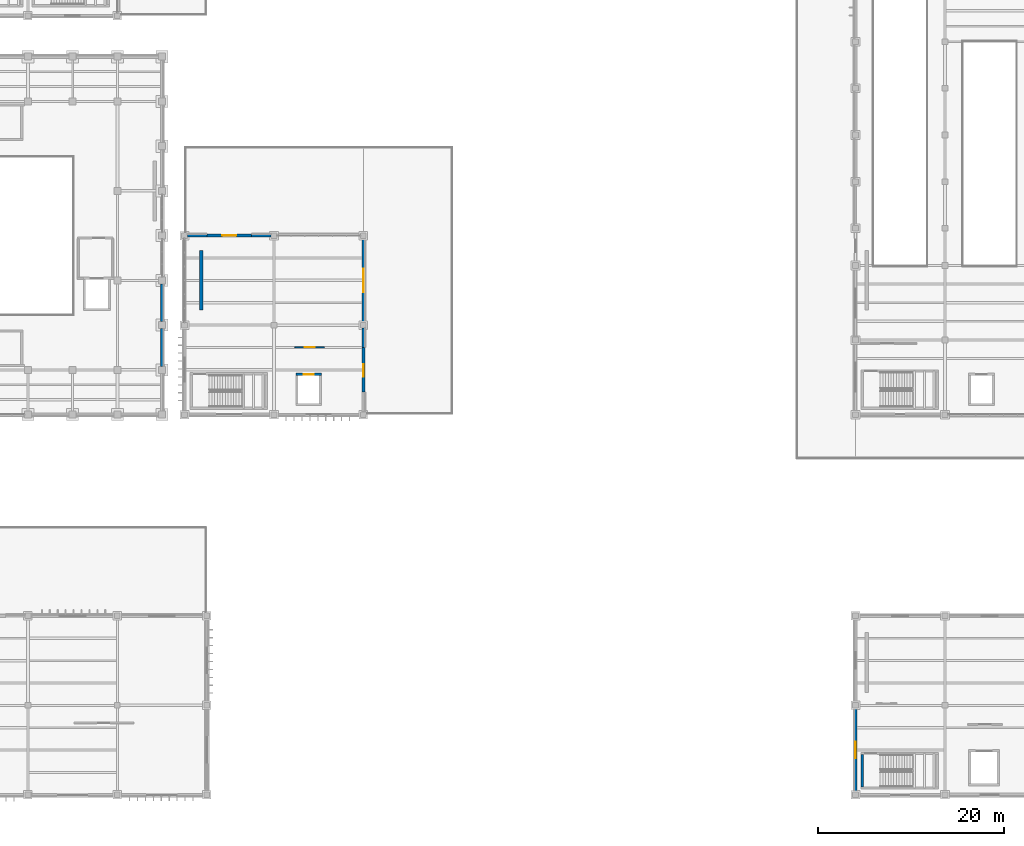
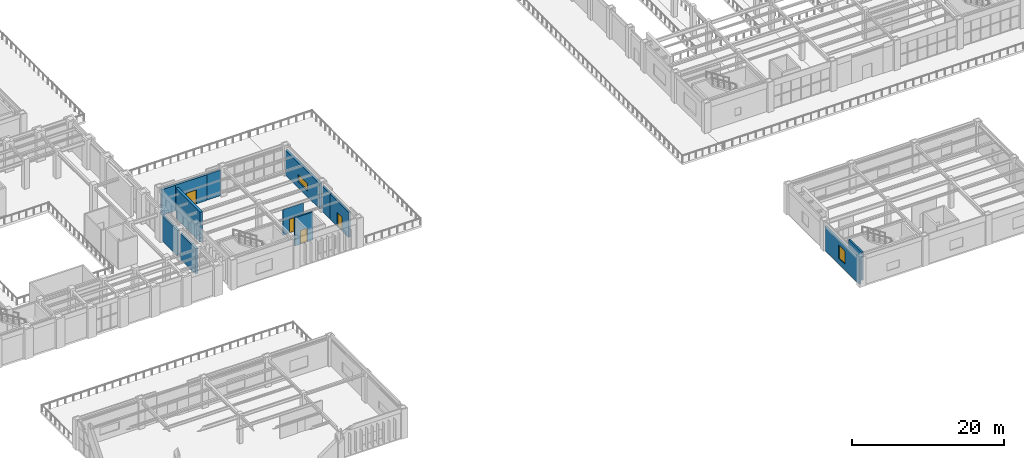
# One storey, part 57 of 83: 13 walls, 4 doors, 2 windows, 6 openings.
"""IFC4 building model written with IfcOpenShell, lengths in metres."""

import ifcopenshell
import ifcopenshell.guid

model = None  # the IFC model being written
_history = None  # IfcOwnerHistory: only IFC2X3 demands one
_inside = {}  # id of a spatial element -> (the spatial element, [elements in it])
_under = {}  # id of a project, library or spatial element -> (it, [spatial elements below it])
_declared = {}  # id of a project -> (the project, [libraries it declares])
_typed = {}  # id of a type object -> (the type object, [elements of that type])
_made_of = {}  # id of a material, layer set ... -> (it, [elements and type objects made of it])


def new_model(schema):
    """Start an empty IFC model of exactly this schema.

    Asked for "IFC4X3", IfcOpenShell would pick the latest addendum, in which some entities
    have other attributes; the version numbers below select the first issue.
    IFC2X3 requires an IfcOwnerHistory on every rooted entity: one is made here for all.
    """
    global model, _history
    if schema == "IFC4X3":
        model = ifcopenshell.file(schema_version=(4, 3, 0, 0))
    else:
        model = ifcopenshell.file(schema=schema)
    _inside.clear()
    _under.clear()
    _declared.clear()
    _typed.clear()
    _made_of.clear()
    _history = None
    if model.schema == "IFC2X3":
        org = make("IfcOrganization", Name="unknown")
        user = make(
            "IfcPersonAndOrganization",
            ThePerson=make("IfcPerson", FamilyName="unknown"),
            TheOrganization=org,
        )
        app = make(
            "IfcApplication",
            ApplicationDeveloper=org,
            Version="unknown",
            ApplicationFullName="unknown",
            ApplicationIdentifier="unknown",
        )
        _history = make(
            "IfcOwnerHistory",
            OwningUser=user,
            OwningApplication=app,
            ChangeAction="ADDED",
            CreationDate=0,
        )
    return model


def make(cls, **values):
    """One entity of the class cls with the attributes given. An attribute that is None is left unset."""
    return model.create_entity(
        cls, **{name: value for name, value in values.items() if value is not None}
    )


def rooted(cls, **values):
    """An entity with a GlobalId (a new one), such as an element, a storey or a relation."""
    return make(cls, GlobalId=ifcopenshell.guid.new(), OwnerHistory=_history, **values)


def si_unit(unit_type, name, prefix=None):
    """IfcSIUnit, for example si_unit("LENGTHUNIT", "METRE", prefix="MILLI")."""
    return make("IfcSIUnit", UnitType=unit_type, Prefix=prefix, Name=name)


def assignment(units):
    """IfcUnitAssignment: the units of a project."""
    return None if units is None else make("IfcUnitAssignment", Units=units)


def point(xyz):
    """IfcCartesianPoint."""
    return None if xyz is None else make("IfcCartesianPoint", Coordinates=xyz)


def direction(xyz):
    """IfcDirection."""
    return None if xyz is None else make("IfcDirection", DirectionRatios=xyz)


def frame(location, z_axis=None, x_axis=None):
    """IfcAxis2Placement3D, a coordinate frame: its origin and axes. An axis left out is left unset."""
    return make(
        "IfcAxis2Placement3D",
        Location=point(location),
        Axis=direction(z_axis),
        RefDirection=direction(x_axis),
    )


def frame_2d(location, x_axis=None):
    """IfcAxis2Placement2D, a coordinate frame in the plane: its origin and x axis."""
    return make(
        "IfcAxis2Placement2D", Location=point(location), RefDirection=direction(x_axis)
    )


def origin():
    """The frame at (0, 0, 0) with its axes left unset."""
    return frame((0.0, 0.0, 0.0))


def place(relative_to, where):
    """IfcLocalPlacement: puts the frame where relative to a parent placement (None: the world)."""
    return make(
        "IfcLocalPlacement", PlacementRelTo=relative_to, RelativePlacement=where
    )


def context(
    kind, dimensions, precision=None, world=None, true_north=None, identifier=None
):
    """IfcGeometricRepresentationContext, for example the 3D "Model" context."""
    return make(
        "IfcGeometricRepresentationContext",
        ContextIdentifier=identifier,
        ContextType=kind,
        CoordinateSpaceDimension=dimensions,
        Precision=precision,
        WorldCoordinateSystem=world,
        TrueNorth=true_north,
    )


def subcontext(parent, identifier, kind, view, scale=None):
    """IfcGeometricRepresentationSubContext, for example "Body" below "Model"."""
    return make(
        "IfcGeometricRepresentationSubContext",
        ContextIdentifier=identifier,
        ContextType=kind,
        ParentContext=parent,
        TargetScale=scale,
        TargetView=view,
    )


def project(units=None, contexts=None):
    """IfcProject with its units and contexts."""
    return rooted(
        "IfcProject",
        Name="project",
        RepresentationContexts=contexts,
        UnitsInContext=assignment(units),
    )


def spatial(cls, under=None, at=None, **own):
    """A site, building, storey or space (cls), placed at a placement, below another one or the project."""
    s = rooted(cls, ObjectPlacement=at, **own)
    if under is not None:
        _under.setdefault(under.id(), (under, []))[1].append(s)
    return s


def profile(cls, at=None, kind="AREA", **sizes):
    """A parametric profile (cls). Its sizes go by their IFC names, for example OverallWidth=200.0."""
    return make(cls, ProfileType=kind, Position=at, **sizes)


def rectangle(**sizes):
    """IfcRectangleProfileDef."""
    return profile("IfcRectangleProfileDef", **sizes)


def extrude(swept, where, along, depth):
    """IfcExtrudedAreaSolid: the profile swept, set in the frame where, extruded along a direction by depth."""
    return make(
        "IfcExtrudedAreaSolid",
        SweptArea=swept,
        Position=where,
        ExtrudedDirection=direction(along),
        Depth=depth,
    )


def shape(context_of_items, identifier, shape_type, items):
    """IfcShapeRepresentation: the items that make up one representation, for example the "Body"."""
    return make(
        "IfcShapeRepresentation",
        ContextOfItems=context_of_items,
        RepresentationIdentifier=identifier,
        RepresentationType=shape_type,
        Items=items,
    )


def material(Name=None, Category=None):
    """IfcMaterial."""
    return make("IfcMaterial", Name=Name, Category=Category)


def layer(
    of_material, thickness, ventilated=None, Name=None, Category=None, Priority=None
):
    """IfcMaterialLayer: one layer of a wall or slab, of a material (None: an air gap)."""
    return make(
        "IfcMaterialLayer",
        Material=of_material,
        LayerThickness=thickness,
        IsVentilated=ventilated,
        Name=Name,
        Category=Category,
        Priority=Priority,
    )


def layer_set(layers, Name=None):
    """IfcMaterialLayerSet."""
    return make("IfcMaterialLayerSet", MaterialLayers=layers, LayerSetName=Name)


def made_of(thing, what):
    """Note that an element or type object is made of a material, layer set ...; save() writes the relation."""
    if what is not None:
        _made_of.setdefault(what.id(), (what, []))[1].append(thing)
    return thing


def type_object(cls, material=None, **own):
    """A type object (cls), such as IfcWallType, which elements share."""
    return made_of(rooted(cls, **own), material)


def element(
    cls,
    number,
    at=None,
    inside=None,
    cuts=None,
    type_object=None,
    material=None,
    context=None,
    identifier="Body",
    shape_type=None,
    held_by="IfcProductDefinitionShape",
    body=None,
    shapes=None,
    **own,
):
    """One element of the class cls, such as IfcWall. Its Tag is "e" and its number.

    at: its placement. inside: the storey or other place that contains it. cuts: it is an
    opening in that element (IfcRelVoidsElement). A single representation is given by context,
    identifier, shape_type and body (its items); several are given by shapes. held_by: the class
    of the entity that holds the representations. save() writes the other relations.
    """
    e = rooted(cls, Tag="e%d" % number, ObjectPlacement=at, **own)
    if body is not None:
        shapes = [shape(context, identifier, shape_type, body)]
    if shapes is not None:
        e.Representation = make(held_by, Representations=shapes)
    if inside is not None:
        _inside.setdefault(inside.id(), (inside, []))[1].append(e)
    if cuts is not None:
        rooted(
            "IfcRelVoidsElement", RelatingBuildingElement=cuts, RelatedOpeningElement=e
        )
    if type_object is not None:
        _typed.setdefault(type_object.id(), (type_object, []))[1].append(e)
    return made_of(e, material)


def fill(opening, filler):
    """IfcRelFillsElement: the door or window that sits in an opening."""
    return rooted(
        "IfcRelFillsElement",
        RelatingOpeningElement=opening,
        RelatedBuildingElement=filler,
    )


def aggregate(whole, parts):
    """IfcRelAggregates: a whole, such as a stair, and the parts it consists of."""
    return rooted("IfcRelAggregates", RelatingObject=whole, RelatedObjects=parts)


def save(model, path):
    """Write the relations noted so far, then the file.

    IfcRelAggregates (storeys below a building ...), IfcRelContainedInSpatialStructure (elements
    in a storey), IfcRelDefinesByType, IfcRelAssociatesMaterial and IfcRelDeclares: one each for
    every whole, place, type object, material and project.
    """
    for whole, parts in _under.values():
        aggregate(whole, parts)
    for where, things in _inside.values():
        rooted(
            "IfcRelContainedInSpatialStructure",
            RelatedElements=things,
            RelatingStructure=where,
        )
    for kind, things in _typed.values():
        rooted("IfcRelDefinesByType", RelatedObjects=things, RelatingType=kind)
    for what, things in _made_of.values():
        rooted("IfcRelAssociatesMaterial", RelatedObjects=things, RelatingMaterial=what)
    for by, libraries in _declared.values():
        rooted("IfcRelDeclares", RelatingContext=by, RelatedDefinitions=libraries)
    model.write(path)


model = new_model("IFC4")

# Units and contexts
model_context = context("Model", 3, precision=1e-05, world=origin(), true_north=direction((0.0, 1.0)))
body_context = subcontext(model_context, "Body", "Model", "MODEL_VIEW")
ifc_project = project(units=[si_unit("LENGTHUNIT", "METRE"), si_unit("AREAUNIT", "SQUARE_METRE"), si_unit("VOLUMEUNIT", "CUBIC_METRE"), si_unit("PLANEANGLEUNIT", "RADIAN"), si_unit("MASSUNIT", "GRAM", prefix="KILO")], contexts=[model_context])

# Site, building, storey
site_placement = place(None, origin())
site = spatial("IfcSite", under=ifc_project, at=site_placement, CompositionType="ELEMENT")
building_placement = place(site_placement, origin())
building = spatial("IfcBuilding", under=site, at=building_placement, Name="Mavantir Sound Aquarium", CompositionType="ELEMENT")
storey_placement = place(building_placement, frame((0.0, 0.0, 10.5)))
storey = spatial("IfcBuildingStorey", under=building, at=storey_placement, Name="L02", CompositionType="ELEMENT", Elevation=10.5)

# Wall, opening, door
ifc_material_1 = material(Name="Coral-Buff Architectural Precast Concrete C40/50", Category="concrete")
ifc_layer_1 = layer(ifc_material_1, 0.31005859375, Name="Coral-Buff Architectural Precast Concrete C40/50")
ifc_layer_set_1 = layer_set([ifc_layer_1], Name="Coral-Buff Architectural Precast Concrete C40/50")
wall_type_1 = type_object("IfcWallType", Name="EW-CORAL-310", PredefinedType="SOLIDWALL", material=ifc_layer_set_1)
wall_1_placement = place(storey_placement, frame((55.199951171875, 43.199951171875, 0.0), z_axis=(0.0, 0.0, 1.0), x_axis=(0.0, 1.0, 0.0)))
wall_1 = element("IfcWall", 1, at=wall_1_placement, inside=storey, type_object=wall_type_1, Name="L02 terrace portal wall 11", PredefinedType="SOLIDWALL", context=body_context, shape_type="SweptSolid", body=[
    extrude(rectangle(XDim=4.800048828125, YDim=0.31005859375, at=frame_2d((2.39990234375, 0.0))), origin(), (0.0, 0.0, 1.0), 4.069091796875),
])
opening_1_placement = place(wall_1_placement, frame((3.0, 0.0, 0.0), z_axis=(0.0, 0.0, 1.0), x_axis=(-1.0, 0.0, 0.0)))
opening_1 = element("IfcOpeningElement", 2, at=opening_1_placement, cuts=wall_1, Name="Opening ETD-02", PredefinedType="OPENING", context=body_context, shape_type="SweptSolid", body=[
    extrude(rectangle(XDim=1.35009765625, YDim=2.199951171875, at=frame_2d((0.675048828125, 1.10009765625))), frame((0.0, 0.1650390625, 0.0), z_axis=(0.0, -1.0, 0.0), x_axis=(1.0, 0.0, 0.0)), (0.0, 0.0, 1.0), 0.330078125),
])
ifc_material_2 = material(Name="Marine-Grade Anodised Aluminium and Laminated Glass", Category="aluminium")
door_type_1 = type_object("IfcDoorType", Name="DR-TER-135", OperationType="NOTDEFINED", PredefinedType="DOOR", material=ifc_material_2)
door_1_placement = place(opening_1_placement, origin())
door_1 = element("IfcDoor", 3, at=door_1_placement, inside=storey, type_object=door_type_1, Name="L02 terrace access door 11", OperationType="SINGLE_SWING_RIGHT", OverallHeight=2.199951171875, OverallWidth=1.35009765625, PredefinedType="DOOR", context=body_context, shape_type="SweptSolid", body=[
    extrude(rectangle(XDim=1.35009765625, YDim=2.199951171875, at=frame_2d((0.675048828125, 1.10009765625))), frame((0.0, 0.02490234375, 0.0), z_axis=(0.0, -1.0, 0.0), x_axis=(1.0, 0.0, 0.0)), (0.0, 0.0, 1.0), 0.050048828125),
])
fill(opening_1, door_1)

wall_2_placement = place(storey_placement, frame((43.199951171875, 60.0, 0.0), z_axis=(0.0, 0.0, 1.0), x_axis=(-1.0, 0.0, 0.0)))
wall_2 = element("IfcWall", 4, at=wall_2_placement, inside=storey, type_object=wall_type_1, Name="L02 terrace portal wall 12", PredefinedType="SOLIDWALL", context=body_context, shape_type="SweptSolid", body=[
    extrude(rectangle(XDim=4.800048828125, YDim=0.31005859375, at=frame_2d((2.39990234375, 0.0))), origin(), (0.0, 0.0, 1.0), 4.137939453125),
])
opening_2_placement = place(wall_2_placement, frame((3.14990234375, 0.0, 0.0), z_axis=(0.0, 0.0, 1.0), x_axis=(-1.0, 0.0, 0.0)))
opening_2 = element("IfcOpeningElement", 5, at=opening_2_placement, cuts=wall_2, Name="Opening ETD-01", PredefinedType="OPENING", context=body_context, shape_type="SweptSolid", body=[
    extrude(rectangle(XDim=1.5, YDim=2.25, at=frame_2d((0.75, 1.125))), frame((0.0, 0.1650390625, 0.0), z_axis=(0.0, -1.0, 0.0), x_axis=(1.0, 0.0, 0.0)), (0.0, 0.0, 1.0), 0.330078125),
])
door_type_2 = type_object("IfcDoorType", Name="DR-TER-150", OperationType="NOTDEFINED", PredefinedType="DOOR", material=ifc_material_2)
door_2_placement = place(opening_2_placement, origin())
door_2 = element("IfcDoor", 6, at=door_2_placement, inside=storey, type_object=door_type_2, Name="L02 terrace access door 12", OperationType="SINGLE_SWING_LEFT", OverallHeight=2.25, OverallWidth=1.5, PredefinedType="DOOR", context=body_context, shape_type="SweptSolid", body=[
    extrude(rectangle(XDim=1.5, YDim=2.25, at=frame_2d((0.75, 1.125))), frame((0.0, 0.02490234375, 0.0), z_axis=(0.0, -1.0, 0.0), x_axis=(1.0, 0.0, 0.0)), (0.0, 0.0, 1.0), 0.050048828125),
])
fill(opening_2, door_2)

# Walls
ifc_layer_2 = layer(ifc_material_1, 0.340087890625, Name="Coral-Buff Architectural Precast Concrete C40/50")
ifc_layer_set_2 = layer_set([ifc_layer_2], Name="Coral-Buff Architectural Precast Concrete C40/50")
wall_type_2 = type_object("IfcWallType", Name="EW-CORAL-340", PredefinedType="SOLIDWALL", material=ifc_layer_set_2)
wall_3_placement = place(storey_placement, frame((33.60009765625, 45.98291015625, 0.0), z_axis=(0.0, 0.0, 1.0), x_axis=(0.0, 1.0, 0.0)))
element("IfcWall", 7, at=wall_3_placement, inside=storey, type_object=wall_type_2, Name="L02 exterior facade wall EW-01 204", PredefinedType="SOLIDWALL", context=body_context, shape_type="SweptSolid", body=[
    extrude(rectangle(XDim=4.0341796875, YDim=0.340087890625, at=frame_2d((2.01708984375, 0.0))), origin(), (0.0, 0.0, 1.0), 4.05810546875),
])
wall_4_placement = place(storey_placement, frame((33.60009765625, 50.782958984375, 0.0), z_axis=(0.0, 0.0, 1.0), x_axis=(0.0, 1.0, 0.0)))
element("IfcWall", 8, at=wall_4_placement, inside=storey, type_object=wall_type_2, Name="L02 exterior facade wall EW-01 205", PredefinedType="SOLIDWALL", context=body_context, shape_type="SweptSolid", body=[
    extrude(rectangle(XDim=4.033935546875, YDim=0.340087890625, at=frame_2d((2.01708984375, 0.0))), origin(), (0.0, 0.0, 1.0), 4.05810546875),
])
wall_5_placement = place(storey_placement, frame((38.39501953125, 60.0, 0.0), z_axis=(0.0, 0.0, 1.0), x_axis=(-1.0, 0.0, 0.0)))
element("IfcWall", 9, at=wall_5_placement, inside=storey, type_object=wall_type_2, Name="L02 exterior facade wall EW-01 235", PredefinedType="SOLIDWALL", context=body_context, shape_type="SweptSolid", body=[
    extrude(rectangle(XDim=2.0869140625, YDim=0.340087890625, at=frame_2d((1.04345703125, 0.0))), origin(), (0.0, 0.0, 1.0), 4.137939453125),
])
ifc_material_3 = material(Name="Architectural Precast Concrete C40/50", Category="concrete")
ifc_layer_3 = layer(ifc_material_3, 0.239990234375, Name="Architectural Precast Concrete C40/50")
ifc_layer_set_3 = layer_set([ifc_layer_3], Name="Architectural Precast Concrete C40/50")
wall_type_3 = type_object("IfcWallType", Name="EW-PRE-240", PredefinedType="SOLIDWALL", material=ifc_layer_set_3)
wall_6_placement = place(storey_placement, frame((45.2919921875, 60.0, 0.0), z_axis=(0.0, 0.0, 1.0), x_axis=(-1.0, 0.0, 0.0)))
element("IfcWall", 10, at=wall_6_placement, inside=storey, type_object=wall_type_3, Name="L02 exterior facade wall EW-06 234", PredefinedType="SOLIDWALL", context=body_context, shape_type="SweptSolid", body=[
    extrude(rectangle(XDim=2.0869140625, YDim=0.239990234375, at=frame_2d((1.04345703125, 0.0))), origin(), (0.0, 0.0, 1.0), 4.137939453125),
])

# Wall, opening, window
ifc_layer_4 = layer(ifc_material_1, 0.360107421875, Name="Coral-Buff Architectural Precast Concrete C40/50")
ifc_layer_set_4 = layer_set([ifc_layer_4], Name="Coral-Buff Architectural Precast Concrete C40/50")
wall_type_4 = type_object("IfcWallType", Name="EW-PRE-360", PredefinedType="SOLIDWALL", material=ifc_layer_set_4)
wall_7_placement = place(storey_placement, frame((55.199951171875, 50.7080078125, 0.0), z_axis=(0.0, 0.0, 1.0), x_axis=(0.0, 1.0, 0.0)))
wall_7 = element("IfcWall", 11, at=wall_7_placement, inside=storey, type_object=wall_type_4, Name="L02 exterior facade wall EW-05 233", PredefinedType="SOLIDWALL", context=body_context, shape_type="SweptSolid", body=[
    extrude(rectangle(XDim=8.98388671875, YDim=0.360107421875, at=frame_2d((4.491943359375, 0.0))), origin(), (0.0, 0.0, 1.0), 4.029052734375),
])
opening_3_placement = place(wall_7_placement, frame((3.217041015625, 0.0, 0.949951171875)))
opening_3 = element("IfcOpeningElement", 12, at=opening_3_placement, cuts=wall_7, Name="Opening W-33", PredefinedType="OPENING", context=body_context, shape_type="SweptSolid", body=[
    extrude(rectangle(XDim=2.550048828125, YDim=1.199951171875, at=frame_2d((1.27490234375, 0.60009765625))), frame((0.0, 0.18994140625, 0.0), z_axis=(0.0, -1.0, 0.0), x_axis=(1.0, 0.0, 0.0)), (0.0, 0.0, 1.0), 0.380126953125),
])
ifc_material_4 = material(Name="Thermally Broken Aluminium and Low-E Glass", Category="aluminium")
window_type_1 = type_object("IfcWindowType", Name="WIN-EXT-33", PartitioningType="TRIPLE_PANEL_VERTICAL", PredefinedType="WINDOW", material=ifc_material_4)
window_1_placement = place(opening_3_placement, origin())
window_1 = element("IfcWindow", 13, at=window_1_placement, inside=storey, type_object=window_type_1, Name="L02 facade window W-33 81", OverallHeight=1.199951171875, OverallWidth=2.550048828125, PartitioningType="SINGLE_PANEL", PredefinedType="WINDOW", context=body_context, shape_type="SweptSolid", body=[
    extrude(rectangle(XDim=2.550048828125, YDim=1.199951171875, at=frame_2d((1.27490234375, 0.60009765625))), frame((0.0, 0.030029296875, 0.0), z_axis=(0.0, -1.0, 0.0), x_axis=(1.0, 0.0, 0.0)), (0.0, 0.0, 1.0), 0.06005859375),
])
fill(opening_3, window_1)

# Wall
ifc_material_5 = material(Name="Cerulean Glazed Terracotta Rainscreen on Concrete C40/50", Category="masonry")
ifc_layer_5 = layer(ifc_material_5, 0.27001953125, Name="Cerulean Glazed Terracotta Rainscreen on Concrete C40/50")
ifc_layer_set_5 = layer_set([ifc_layer_5], Name="Cerulean Glazed Terracotta Rainscreen on Concrete C40/50")
wall_type_5 = type_object("IfcWallType", Name="EW-TERRA-270", PredefinedType="SOLIDWALL", material=ifc_layer_set_5)
wall_8_placement = place(storey_placement, frame((55.199951171875, 48.0048828125, 0.0), z_axis=(0.0, 0.0, 1.0), x_axis=(0.0, 1.0, 0.0)))
element("IfcWall", 14, at=wall_8_placement, inside=storey, type_object=wall_type_5, Name="L02 exterior facade wall EW-04 232", PredefinedType="SOLIDWALL", context=body_context, shape_type="SweptSolid", body=[
    extrude(rectangle(XDim=2.087158203125, YDim=0.27001953125, at=frame_2d((1.04345703125, 0.0))), origin(), (0.0, 0.0, 1.0), 4.069091796875),
])

# Wall, opening, window
ifc_material_6 = material(Name="Turquoise Glazed Terracotta Rainscreen on Concrete C40/50", Category="masonry")
ifc_layer_6 = layer(ifc_material_6, 0.2900390625, Name="Turquoise Glazed Terracotta Rainscreen on Concrete C40/50")
ifc_layer_set_6 = layer_set([ifc_layer_6], Name="Turquoise Glazed Terracotta Rainscreen on Concrete C40/50")
wall_type_6 = type_object("IfcWallType", Name="EW-TERRA-290", PredefinedType="SOLIDWALL", material=ifc_layer_set_6)
wall_9_placement = place(storey_placement, frame((108.0, 9.2919921875, 0.0), z_axis=(0.0, 0.0, 1.0), x_axis=(0.0, -1.0, 0.0)))
wall_9 = element("IfcWall", 15, at=wall_9_placement, inside=storey, type_object=wall_type_6, Name="L02 exterior facade wall EW-03 297", PredefinedType="SOLIDWALL", context=body_context, shape_type="SweptSolid", body=[
    extrude(rectangle(XDim=8.98388671875, YDim=0.2900390625, at=frame_2d((4.491943359375, 0.0))), origin(), (0.0, 0.0, 1.0), 3.8740234375),
])
opening_4_placement = place(wall_9_placement, frame((3.616943359375, 0.0, 0.949951171875)))
opening_4 = element("IfcOpeningElement", 16, at=opening_4_placement, cuts=wall_9, Name="Opening W-20", PredefinedType="OPENING", context=body_context, shape_type="SweptSolid", body=[
    extrude(rectangle(XDim=1.75, YDim=2.10009765625, at=frame_2d((0.875, 1.050048828125))), frame((0.0, 0.155029296875, 0.0), z_axis=(0.0, -1.0, 0.0), x_axis=(1.0, 0.0, 0.0)), (0.0, 0.0, 1.0), 0.31005859375),
])
window_type_2 = type_object("IfcWindowType", Name="WIN-EXT-20", PartitioningType="DOUBLE_PANEL_VERTICAL", PredefinedType="WINDOW", material=ifc_material_4)
window_2_placement = place(opening_4_placement, origin())
window_2 = element("IfcWindow", 17, at=window_2_placement, inside=storey, type_object=window_type_2, Name="L02 facade window W-20 116", OverallHeight=2.10009765625, OverallWidth=1.75, PartitioningType="SINGLE_PANEL", PredefinedType="WINDOW", context=body_context, shape_type="SweptSolid", body=[
    extrude(rectangle(XDim=1.75, YDim=2.10009765625, at=frame_2d((0.875, 1.050048828125))), frame((0.0, 0.030029296875, 0.0), z_axis=(0.0, -1.0, 0.0), x_axis=(1.0, 0.0, 0.0)), (0.0, 0.0, 1.0), 0.06005859375),
])
fill(opening_4, window_2)

# Wall, opening, door
ifc_material_7 = material(Name="Lightweight Partition Framing", Category="gypsum")
ifc_layer_7 = layer(ifc_material_7, 0.1201171875, Name="Lightweight Partition Framing")
ifc_layer_set_7 = layer_set([ifc_layer_7], Name="Lightweight Partition Framing")
wall_type_7 = type_object("IfcWallType", Name="IW-PART-120", PredefinedType="PARTITIONING", material=ifc_layer_set_7)
wall_10_placement = place(storey_placement, frame((47.85009765625, 48.02490234375, 0.0), z_axis=(0.0, 0.0, 1.0), x_axis=(1.0, 0.0, 0.0)))
wall_10 = element("IfcWall", 18, at=wall_10_placement, inside=storey, type_object=wall_type_7, Name="L02 Interactive Benthic Touch-Pool Hall entry partition", PredefinedType="PARTITIONING", context=body_context, shape_type="SweptSolid", body=[
    extrude(rectangle(XDim=3.14990234375, YDim=0.1201171875, at=frame_2d((1.574951171875, 0.0))), origin(), (0.0, 0.0, 1.0), 4.069091796875),
])
opening_5_placement = place(wall_10_placement, frame((1.02490234375, 0.0, 0.0)))
opening_5 = element("IfcOpeningElement", 19, at=opening_5_placement, cuts=wall_10, Name="Opening ID-06", PredefinedType="OPENING", context=body_context, shape_type="SweptSolid", body=[
    extrude(rectangle(XDim=1.10009765625, YDim=2.199951171875, at=frame_2d((0.550048828125, 1.10009765625))), frame((0.0, 0.070068359375, 0.0), z_axis=(0.0, -1.0, 0.0), x_axis=(1.0, 0.0, 0.0)), (0.0, 0.0, 1.0), 0.14013671875),
])
ifc_material_8 = material(Name="Solid-Core Marine Hardwood and Vision-Panel Door", Category="wood")
door_type_3 = type_object("IfcDoorType", Name="DR-INT-06", OperationType="NOTDEFINED", PredefinedType="DOOR", material=ifc_material_8)
door_3_placement = place(opening_5_placement, origin())
door_3 = element("IfcDoor", 20, at=door_3_placement, inside=storey, type_object=door_type_3, Name="Interactive Benthic Touch-Pool Hall door", OperationType="SINGLE_SWING_RIGHT", OverallHeight=2.199951171875, OverallWidth=1.10009765625, PredefinedType="DOOR", context=body_context, shape_type="SweptSolid", body=[
    extrude(rectangle(XDim=1.10009765625, YDim=2.199951171875, at=frame_2d((0.550048828125, 1.10009765625))), frame((0.0, 0.02490234375, 0.0), z_axis=(0.0, -1.0, 0.0), x_axis=(1.0, 0.0, 0.0)), (0.0, 0.0, 1.0), 0.050048828125),
])
fill(opening_5, door_3)

# Wall
ifc_material_9 = material(Name="Concrete C40/50", Category="concrete")
ifc_layer_8 = layer(ifc_material_9, 0.25, Name="Concrete C40/50")
ifc_layer_set_8 = layer_set([ifc_layer_8], Name="Concrete C40/50")
wall_type_8 = type_object("IfcWallType", Name="IW-SHAFT-250", PredefinedType="SHEAR", material=ifc_layer_set_8)
wall_11_placement = place(storey_placement, frame((108.72509765625, 4.300048828125, 0.0), z_axis=(0.0, 0.0, 1.0), x_axis=(0.0, -1.0, 0.0)))
element("IfcWall", 21, at=wall_11_placement, inside=storey, type_object=wall_type_8, Name="L02 stair ST6 shaft wall W", PredefinedType="SHEAR", context=body_context, shape_type="SweptSolid", body=[
    extrude(rectangle(XDim=3.449951171875, YDim=0.25, at=frame_2d((1.72509765625, 0.0))), origin(), (0.0, 0.0, 1.0), 4.52001953125),
])

# Wall, opening, door
wall_12_placement = place(storey_placement, frame((47.949951171875, 45.125, 0.0), z_axis=(0.0, 0.0, 1.0), x_axis=(1.0, 0.0, 0.0)))
wall_12 = element("IfcWall", 22, at=wall_12_placement, inside=storey, type_object=wall_type_8, Name="L02 lift LC5 shaft wall N", PredefinedType="SHEAR", context=body_context, shape_type="SweptSolid", body=[
    extrude(rectangle(XDim=2.75, YDim=0.25, at=frame_2d((1.375, 0.0))), origin(), (0.0, 0.0, 1.0), 4.52001953125),
])
opening_6_placement = place(wall_12_placement, frame((0.824951171875, 0.0, 0.0)))
opening_6 = element("IfcOpeningElement", 23, at=opening_6_placement, cuts=wall_12, Name="Opening LD-02", PredefinedType="OPENING", context=body_context, shape_type="SweptSolid", body=[
    extrude(rectangle(XDim=1.10009765625, YDim=2.199951171875, at=frame_2d((0.550048828125, 1.10009765625))), frame((0.0, 0.135009765625, 0.0), z_axis=(0.0, -1.0, 0.0), x_axis=(1.0, 0.0, 0.0)), (0.0, 0.0, 1.0), 0.27001953125),
])
ifc_material_10 = material(Name="Stainless Steel 316 Sliding Lift Landing Door", Category="steel")
door_type_4 = type_object("IfcDoorType", Name="DR-LD-110", OperationType="NOTDEFINED", PredefinedType="DOOR", material=ifc_material_10)
door_4_placement = place(opening_6_placement, origin())
door_4 = element("IfcDoor", 24, at=door_4_placement, inside=storey, type_object=door_type_4, Name="Lift LC5 sliding landing door (L02)", OperationType="DOUBLE_DOOR_SLIDING", OverallHeight=2.199951171875, OverallWidth=1.10009765625, PredefinedType="DOOR", context=body_context, shape_type="SweptSolid", body=[
    extrude(rectangle(XDim=1.10009765625, YDim=2.199951171875, at=frame_2d((0.550048828125, 1.10009765625))), frame((0.0, 0.02490234375, 0.0), z_axis=(0.0, -1.0, 0.0), x_axis=(1.0, 0.0, 0.0)), (0.0, 0.0, 1.0), 0.050048828125),
])
fill(opening_6, door_4)

# Wall
ifc_layer_9 = layer(ifc_material_9, 0.3798828125, Name="Concrete C40/50")
ifc_layer_set_9 = layer_set([ifc_layer_9], Name="Concrete C40/50")
wall_type_9 = type_object("IfcWallType", Name="SW-SHR-380", PredefinedType="SHEAR", material=ifc_layer_set_9)
wall_13_placement = place(storey_placement, frame((37.800048828125, 52.0, 0.0), z_axis=(0.0, 0.0, 1.0), x_axis=(0.0, 1.0, 0.0)))
element("IfcWall", 25, at=wall_13_placement, inside=storey, type_object=wall_type_9, Name="L02 special RC shear wall 17 (V2)", PredefinedType="SHEAR", context=body_context, shape_type="SweptSolid", body=[
    extrude(rectangle(XDim=6.39990234375, YDim=0.3798828125, at=frame_2d((3.199951171875, 0.0))), origin(), (0.0, 0.0, 1.0), 4.800048828125),
])

save(model, "model.ifc")
